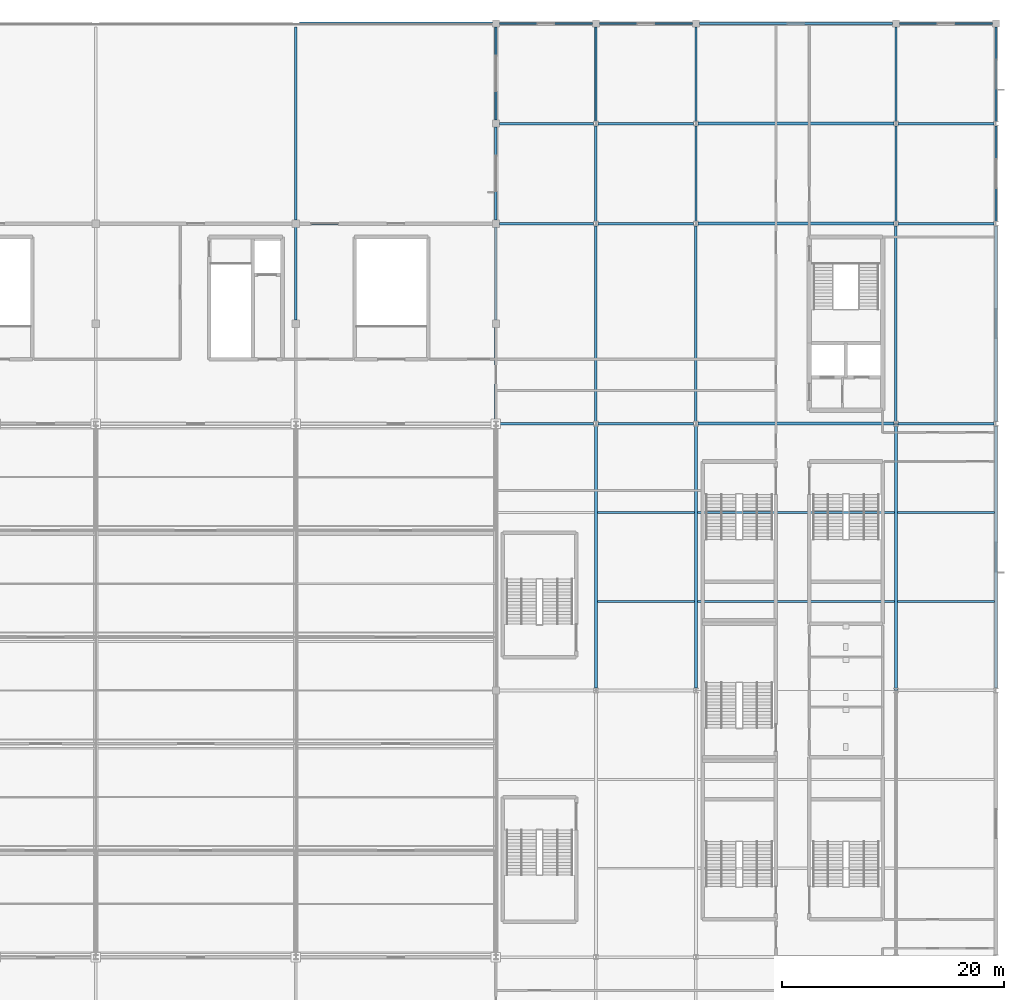
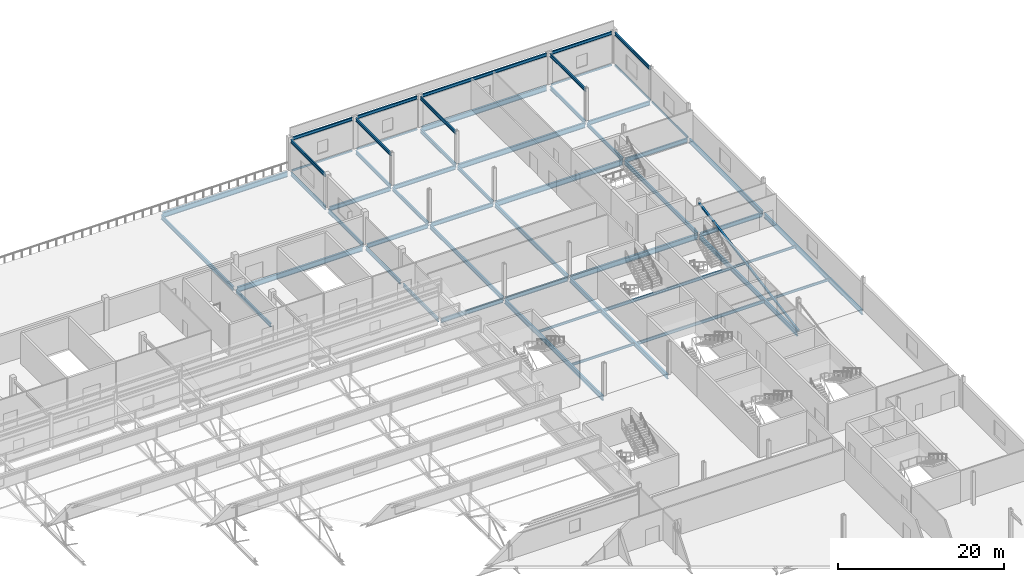
# One storey, part 75 of 136: 55 beams, 1 member.
"""IFC4 building model written with IfcOpenShell, lengths in metres."""

from ifc_helpers import new_model, si_unit, direction, frame, origin, origin_2d, place, context, subcontext, project, spatial, hollow_rectangle, i_section, extrude, material, material_profile, profile_set, type_object, element, save


model = new_model("IFC4")

# Units and contexts
model_context = context("Model", 3, precision=1e-05, world=origin(), true_north=direction((0.0, 1.0)))
body_context = subcontext(model_context, "Body", "Model", "MODEL_VIEW")
ifc_project = project(units=[si_unit("LENGTHUNIT", "METRE"), si_unit("AREAUNIT", "SQUARE_METRE"), si_unit("VOLUMEUNIT", "CUBIC_METRE"), si_unit("PLANEANGLEUNIT", "RADIAN"), si_unit("MASSUNIT", "GRAM", prefix="KILO")], contexts=[model_context])

# Site, building, storey
site_placement = place(None, origin())
site = spatial("IfcSite", under=ifc_project, at=site_placement, CompositionType="ELEMENT")
building_placement = place(site_placement, origin())
building = spatial("IfcBuilding", under=site, at=building_placement, Name="Kisiwana Market Hall", CompositionType="ELEMENT")
storey_placement = place(building_placement, frame((0.0, 0.0, 16.800048828125)))
storey = spatial("IfcBuildingStorey", under=building, at=storey_placement, Name="L03", CompositionType="ELEMENT", Elevation=16.800048828125)

# Beams
ifc_material_1 = material(Name="Steel S355", Category="steel")
ifc_material_profile_1 = material_profile(ifc_material_1, i_section(OverallWidth=0.19140625, OverallDepth=0.4599609375, WebThickness=0.010009765625, FlangeThickness=0.01611328125, at=origin_2d()), Name="UB 457x191x82")
ifc_profile_set_1 = profile_set([ifc_material_profile_1], Name="Steel S355")
beam_type_1 = type_object("IfcBeamType", Name="BM-GIRD-UB457H", PredefinedType="BEAM", material=ifc_profile_set_1)
for number, where, z_axis, x_axis, name in (
    (1, (153.321044921875, 120.0, 4.27783203125), (1.0, 0.0, 0.0), (0.0, 1.0, 0.0), "Roof girder B-1128"),
    (2, (162.321044921875, 120.0, 4.27783203125), (1.0, 0.0, 0.0), (0.0, 1.0, 0.0), "Roof girder B-1129"),
):
    element("IfcBeam", number, at=place(storey_placement, frame(where, z_axis=z_axis, x_axis=x_axis)), inside=storey, type_object=beam_type_1, Name=name, PredefinedType="BEAM", context=body_context, shape_type="SweptSolid", body=[
        extrude(i_section(OverallWidth=0.19140625, OverallDepth=0.4599609375, WebThickness=0.010009765625, FlangeThickness=0.01611328125, at=origin_2d()), origin(), (0.0, 0.0, 1.0), 8.35791015625),
    ])
beam_1_placement = place(storey_placement, frame((171.321044921875, 120.0, 4.27783203125), z_axis=(1.0, 0.0, 0.0), x_axis=(0.0, 1.0, 0.0)))
element("IfcBeam", 3, at=beam_1_placement, inside=storey, type_object=beam_type_1, Name="Roof girder B-1130", PredefinedType="BEAM", context=body_context, shape_type="SweptSolid", body=[
    extrude(i_section(OverallWidth=0.19140625, OverallDepth=0.4599609375, WebThickness=0.010009765625, FlangeThickness=0.01611328125, at=origin_2d()), origin(), (0.0, 0.0, 1.0), 17.35791015625),
])
for number, where, z_axis, x_axis, name in (
    (4, (189.321044921875, 120.0, 4.27783203125), (1.0, 0.0, 0.0), (0.0, 1.0, 0.0), "Roof girder B-1131"),
    (5, (153.0, 111.321044921875, 4.27783203125), (0.0, 1.0, 0.0), (-1.0, 0.0, 0.0), "Roof girder B-1132"),
):
    element("IfcBeam", number, at=place(storey_placement, frame(where, z_axis=z_axis, x_axis=x_axis)), inside=storey, type_object=beam_type_1, Name=name, PredefinedType="BEAM", context=body_context, shape_type="SweptSolid", body=[
        extrude(i_section(OverallWidth=0.19140625, OverallDepth=0.4599609375, WebThickness=0.010009765625, FlangeThickness=0.01611328125, at=origin_2d()), origin(), (0.0, 0.0, 1.0), 8.35791015625),
    ])
for number, where, z_axis, x_axis, name in (
    (6, (162.0, 111.19287109375, 4.27783203125), (0.0, 1.0, 0.0), (-1.0, 0.0, 0.0), "Roof girder B-1133"),
    (7, (171.0, 111.19287109375, 4.27783203125), (0.0, 1.0, 0.0), (-1.0, 0.0, 0.0), "Roof girder B-1134"),
    (8, (189.0, 111.19287109375, 4.27783203125), (0.0, 1.0, 0.0), (-1.0, 0.0, 0.0), "Roof girder B-1135"),
    (9, (198.0, 111.19287109375, 4.27783203125), (0.0, 1.0, 0.0), (-1.0, 0.0, 0.0), "Roof girder B-1136"),
):
    element("IfcBeam", number, at=place(storey_placement, frame(where, z_axis=z_axis, x_axis=x_axis)), inside=storey, type_object=beam_type_1, Name=name, PredefinedType="BEAM", context=body_context, shape_type="SweptSolid", body=[
        extrude(i_section(OverallWidth=0.19140625, OverallDepth=0.4599609375, WebThickness=0.010009765625, FlangeThickness=0.01611328125, at=origin_2d()), origin(), (0.0, 0.0, 1.0), 8.486083984375),
    ])
ifc_material_2 = material(Name="Steel S355", Category="steel")
ifc_material_profile_2 = material_profile(ifc_material_2, i_section(OverallWidth=0.209228515625, OverallDepth=0.533203125, WebThickness=0.010009765625, FlangeThickness=0.015625, at=origin_2d()), Name="UB 533x210x92")
ifc_profile_set_2 = profile_set([ifc_material_profile_2], Name="Steel S355")
beam_type_2 = type_object("IfcBeamType", Name="BM-GIRD-UB533", PredefinedType="BEAM", material=ifc_profile_set_2)
beam_2_placement = place(storey_placement, frame((135.0, 93.321044921875, -0.5166015625), z_axis=(0.0, 1.0, 0.0), x_axis=(-1.0, 0.0, 0.0)))
element("IfcBeam", 10, at=beam_2_placement, inside=storey, type_object=beam_type_2, Name="Primary girder B-0911", PredefinedType="BEAM", context=body_context, shape_type="SweptSolid", body=[
    extrude(i_section(OverallWidth=0.209228515625, OverallDepth=0.533203125, WebThickness=0.010009765625, FlangeThickness=0.015625, at=origin_2d()), origin(), (0.0, 0.0, 1.0), 8.35791015625),
])
beam_3_placement = place(storey_placement, frame((153.0, 84.21337890625, -0.5166015625), z_axis=(0.0, 1.0, 0.0), x_axis=(-1.0, 0.0, 0.0)))
element("IfcBeam", 11, at=beam_3_placement, inside=storey, type_object=beam_type_2, Name="Primary girder B-0917", PredefinedType="BEAM", context=body_context, shape_type="SweptSolid", body=[
    extrude(i_section(OverallWidth=0.209228515625, OverallDepth=0.533203125, WebThickness=0.010009765625, FlangeThickness=0.015625, at=origin_2d()), origin(), (0.0, 0.0, 1.0), 8.465576171875),
])
for number, where, z_axis, x_axis, name in (
    (12, (153.0, 93.321044921875, -0.5166015625), (0.0, 1.0, 0.0), (-1.0, 0.0, 0.0), "Primary girder B-0918"),
    (13, (153.0, 102.321044921875, -0.524658203125), (0.0, 1.0, 0.0), (-1.0, 0.0, 0.0), "Primary girder B-0919"),
    (14, (153.0, 111.321044921875, -0.524658203125), (0.0, 1.0, 0.0), (-1.0, 0.0, 0.0), "Primary girder B-0920"),
):
    element("IfcBeam", number, at=place(storey_placement, frame(where, z_axis=z_axis, x_axis=x_axis)), inside=storey, type_object=beam_type_2, Name=name, PredefinedType="BEAM", context=body_context, shape_type="SweptSolid", body=[
        extrude(i_section(OverallWidth=0.209228515625, OverallDepth=0.533203125, WebThickness=0.010009765625, FlangeThickness=0.015625, at=origin_2d()), origin(), (0.0, 0.0, 1.0), 8.35791015625),
    ])
beam_4_placement = place(storey_placement, frame((162.0, 102.2041015625, -0.5166015625), z_axis=(0.0, 1.0, 0.0), x_axis=(-1.0, 0.0, 0.0)))
element("IfcBeam", 15, at=beam_4_placement, inside=storey, type_object=beam_type_2, Name="Primary girder B-0927", PredefinedType="BEAM", context=body_context, shape_type="SweptSolid", body=[
    extrude(i_section(OverallWidth=0.209228515625, OverallDepth=0.533203125, WebThickness=0.010009765625, FlangeThickness=0.015625, at=origin_2d()), origin(), (0.0, 0.0, 1.0), 8.60302734375),
])
beam_5_placement = place(storey_placement, frame((162.0, 111.19287109375, -0.5166015625), z_axis=(0.0, 1.0, 0.0), x_axis=(-1.0, 0.0, 0.0)))
element("IfcBeam", 16, at=beam_5_placement, inside=storey, type_object=beam_type_2, Name="Primary girder B-0928", PredefinedType="BEAM", context=body_context, shape_type="SweptSolid", body=[
    extrude(i_section(OverallWidth=0.209228515625, OverallDepth=0.533203125, WebThickness=0.010009765625, FlangeThickness=0.015625, at=origin_2d()), origin(), (0.0, 0.0, 1.0), 8.486083984375),
])
beam_6_placement = place(storey_placement, frame((171.0, 102.2041015625, -0.5166015625), z_axis=(0.0, 1.0, 0.0), x_axis=(-1.0, 0.0, 0.0)))
element("IfcBeam", 17, at=beam_6_placement, inside=storey, type_object=beam_type_2, Name="Primary girder B-0933", PredefinedType="BEAM", context=body_context, shape_type="SweptSolid", body=[
    extrude(i_section(OverallWidth=0.209228515625, OverallDepth=0.533203125, WebThickness=0.010009765625, FlangeThickness=0.015625, at=origin_2d()), origin(), (0.0, 0.0, 1.0), 8.60302734375),
])
beam_7_placement = place(storey_placement, frame((171.0, 111.19287109375, -0.5166015625), z_axis=(0.0, 1.0, 0.0), x_axis=(-1.0, 0.0, 0.0)))
element("IfcBeam", 18, at=beam_7_placement, inside=storey, type_object=beam_type_2, Name="Primary girder B-0934", PredefinedType="BEAM", context=body_context, shape_type="SweptSolid", body=[
    extrude(i_section(OverallWidth=0.209228515625, OverallDepth=0.533203125, WebThickness=0.010009765625, FlangeThickness=0.015625, at=origin_2d()), origin(), (0.0, 0.0, 1.0), 8.486083984375),
])
beam_8_placement = place(storey_placement, frame((189.0, 102.2041015625, -0.5166015625), z_axis=(0.0, 1.0, 0.0), x_axis=(-1.0, 0.0, 0.0)))
element("IfcBeam", 19, at=beam_8_placement, inside=storey, type_object=beam_type_2, Name="Primary girder B-0941", PredefinedType="BEAM", context=body_context, shape_type="SweptSolid", body=[
    extrude(i_section(OverallWidth=0.209228515625, OverallDepth=0.533203125, WebThickness=0.010009765625, FlangeThickness=0.015625, at=origin_2d()), origin(), (0.0, 0.0, 1.0), 8.60302734375),
])
beam_9_placement = place(storey_placement, frame((189.0, 111.19287109375, -0.5166015625), z_axis=(0.0, 1.0, 0.0), x_axis=(-1.0, 0.0, 0.0)))
element("IfcBeam", 20, at=beam_9_placement, inside=storey, type_object=beam_type_2, Name="Primary girder B-0942", PredefinedType="BEAM", context=body_context, shape_type="SweptSolid", body=[
    extrude(i_section(OverallWidth=0.209228515625, OverallDepth=0.533203125, WebThickness=0.010009765625, FlangeThickness=0.015625, at=origin_2d()), origin(), (0.0, 0.0, 1.0), 8.486083984375),
])
ifc_material_3 = material(Name="Steel S355", Category="steel")
ifc_material_profile_3 = material_profile(ifc_material_3, i_section(OverallWidth=0.22900390625, OverallDepth=0.6123046875, WebThickness=0.011962890625, FlangeThickness=0.01953125, at=origin_2d()), Name="UB 610x229x125")
ifc_profile_set_3 = profile_set([ifc_material_profile_3], Name="Steel S355")
beam_type_3 = type_object("IfcBeamType", Name="BM-GIRD-UB610H", PredefinedType="BEAM", material=ifc_profile_set_3)
beam_10_placement = place(storey_placement, frame((153.201904296875, 84.0, -0.55615234375), z_axis=(1.0, 0.0, 0.0), x_axis=(0.0, 1.0, 0.0)))
element("IfcBeam", 21, at=beam_10_placement, inside=storey, type_object=beam_type_3, Name="Floor beam B-1037", PredefinedType="BEAM", context=body_context, shape_type="SweptSolid", body=[
    extrude(i_section(OverallWidth=0.22900390625, OverallDepth=0.6123046875, WebThickness=0.011962890625, FlangeThickness=0.01953125, at=origin_2d()), origin(), (0.0, 0.0, 1.0), 8.59912109375),
])
for number, where, z_axis, x_axis, name in (
    (22, (162.198974609375, 84.0, -0.55615234375), (1.0, 0.0, 0.0), (0.0, 1.0, 0.0), "Floor beam B-1038"),
    (23, (189.198974609375, 84.0, -0.55615234375), (1.0, 0.0, 0.0), (0.0, 1.0, 0.0), "Floor beam B-1040"),
):
    element("IfcBeam", number, at=place(storey_placement, frame(where, z_axis=z_axis, x_axis=x_axis)), inside=storey, type_object=beam_type_3, Name=name, PredefinedType="BEAM", context=body_context, shape_type="SweptSolid", body=[
        extrude(i_section(OverallWidth=0.22900390625, OverallDepth=0.6123046875, WebThickness=0.011962890625, FlangeThickness=0.01953125, at=origin_2d()), origin(), (0.0, 0.0, 1.0), 8.60205078125),
    ])
beam_11_placement = place(storey_placement, frame((153.321044921875, 102.0, -0.55615234375), z_axis=(1.0, 0.0, 0.0), x_axis=(0.0, 1.0, 0.0)))
element("IfcBeam", 24, at=beam_11_placement, inside=storey, type_object=beam_type_3, Name="Floor beam B-1051", PredefinedType="BEAM", context=body_context, shape_type="SweptSolid", body=[
    extrude(i_section(OverallWidth=0.22900390625, OverallDepth=0.6123046875, WebThickness=0.011962890625, FlangeThickness=0.01953125, at=origin_2d()), origin(), (0.0, 0.0, 1.0), 8.47998046875),
])
for number, where, z_axis, x_axis, name in (
    (25, (162.198974609375, 102.0, -0.55615234375), (1.0, 0.0, 0.0), (0.0, 1.0, 0.0), "Floor beam B-1052"),
    (26, (189.198974609375, 102.0, -0.55615234375), (1.0, 0.0, 0.0), (0.0, 1.0, 0.0), "Floor beam B-1054"),
):
    element("IfcBeam", number, at=place(storey_placement, frame(where, z_axis=z_axis, x_axis=x_axis)), inside=storey, type_object=beam_type_3, Name=name, PredefinedType="BEAM", context=body_context, shape_type="SweptSolid", body=[
        extrude(i_section(OverallWidth=0.22900390625, OverallDepth=0.6123046875, WebThickness=0.011962890625, FlangeThickness=0.01953125, at=origin_2d()), origin(), (0.0, 0.0, 1.0), 8.60205078125),
    ])
beam_12_placement = place(storey_placement, frame((153.321044921875, 111.0, -0.55615234375), z_axis=(1.0, 0.0, 0.0), x_axis=(0.0, 1.0, 0.0)))
element("IfcBeam", 27, at=beam_12_placement, inside=storey, type_object=beam_type_3, Name="Floor beam B-1059", PredefinedType="BEAM", context=body_context, shape_type="SweptSolid", body=[
    extrude(i_section(OverallWidth=0.22900390625, OverallDepth=0.6123046875, WebThickness=0.011962890625, FlangeThickness=0.01953125, at=origin_2d()), origin(), (0.0, 0.0, 1.0), 8.4833984375),
])
for number, where, z_axis, x_axis, name in (
    (28, (162.195556640625, 111.0, -0.55615234375), (1.0, 0.0, 0.0), (0.0, 1.0, 0.0), "Floor beam B-1060"),
    (29, (189.195556640625, 111.0, -0.55615234375), (1.0, 0.0, 0.0), (0.0, 1.0, 0.0), "Floor beam B-1062"),
):
    element("IfcBeam", number, at=place(storey_placement, frame(where, z_axis=z_axis, x_axis=x_axis)), inside=storey, type_object=beam_type_3, Name=name, PredefinedType="BEAM", context=body_context, shape_type="SweptSolid", body=[
        extrude(i_section(OverallWidth=0.22900390625, OverallDepth=0.6123046875, WebThickness=0.011962890625, FlangeThickness=0.01953125, at=origin_2d()), origin(), (0.0, 0.0, 1.0), 8.60888671875),
    ])
beam_13_placement = place(storey_placement, frame((135.0, 102.321044921875, -0.564208984375), z_axis=(0.0, 1.0, 0.0), x_axis=(-1.0, 0.0, 0.0)))
element("IfcBeam", 30, at=beam_13_placement, inside=storey, type_object=beam_type_3, Name="Primary girder B-0912", PredefinedType="BEAM", context=body_context, shape_type="SweptSolid", body=[
    extrude(i_section(OverallWidth=0.22900390625, OverallDepth=0.6123046875, WebThickness=0.011962890625, FlangeThickness=0.01953125, at=origin_2d()), origin(), (0.0, 0.0, 1.0), 17.35791015625),
])
for number, where, z_axis, x_axis, name in (
    (31, (162.0, 84.2041015625, -0.55615234375), (0.0, 1.0, 0.0), (-1.0, 0.0, 0.0), "Primary girder B-0926"),
    (32, (171.0, 84.2041015625, -0.55615234375), (0.0, 1.0, 0.0), (-1.0, 0.0, 0.0), "Primary girder B-0932"),
    (33, (189.0, 84.2041015625, -0.55615234375), (0.0, 1.0, 0.0), (-1.0, 0.0, 0.0), "Primary girder B-0940"),
):
    element("IfcBeam", number, at=place(storey_placement, frame(where, z_axis=z_axis, x_axis=x_axis)), inside=storey, type_object=beam_type_3, Name=name, PredefinedType="BEAM", context=body_context, shape_type="SweptSolid", body=[
        extrude(i_section(OverallWidth=0.22900390625, OverallDepth=0.6123046875, WebThickness=0.011962890625, FlangeThickness=0.01953125, at=origin_2d()), origin(), (0.0, 0.0, 1.0), 17.591796875),
    ])
ifc_material_4 = material(Name="Steel S355", Category="steel")
ifc_material_profile_4 = material_profile(ifc_material_4, i_section(OverallWidth=0.253662109375, OverallDepth=0.68359375, WebThickness=0.012451171875, FlangeThickness=0.01904296875, at=origin_2d()), Name="UB 686x254x140")
ifc_profile_set_4 = profile_set([ifc_material_profile_4], Name="Steel S355")
beam_type_4 = type_object("IfcBeamType", Name="BM-GIRD-UB686", PredefinedType="BEAM", material=ifc_profile_set_4)
for number, where, z_axis, x_axis, name in (
    (34, (171.0, 60.2041015625, -0.591796875), (0.0, 1.0, 0.0), (-1.0, 0.0, 0.0), "Floor beam B-1092"),
    (35, (198.0, 60.2041015625, -0.591796875), (0.0, 1.0, 0.0), (-1.0, 0.0, 0.0), "Floor beam B-1097"),
):
    element("IfcBeam", number, at=place(storey_placement, frame(where, z_axis=z_axis, x_axis=x_axis)), inside=storey, type_object=beam_type_4, Name=name, PredefinedType="BEAM", context=body_context, shape_type="SweptSolid", body=[
        extrude(i_section(OverallWidth=0.253662109375, OverallDepth=0.68359375, WebThickness=0.012451171875, FlangeThickness=0.01904296875, at=origin_2d()), origin(), (0.0, 0.0, 1.0), 23.591796875),
    ])
beam_14_placement = place(storey_placement, frame((198.0, 84.2041015625, -0.591796875), z_axis=(0.0, 1.0, 0.0), x_axis=(-1.0, 0.0, 0.0)))
element("IfcBeam", 36, at=beam_14_placement, inside=storey, type_object=beam_type_4, Name="Floor beam B-1098", PredefinedType="BEAM", context=body_context, shape_type="SweptSolid", body=[
    extrude(i_section(OverallWidth=0.253662109375, OverallDepth=0.68359375, WebThickness=0.012451171875, FlangeThickness=0.01904296875, at=origin_2d()), origin(), (0.0, 0.0, 1.0), 17.591796875),
])
for number, where, z_axis, x_axis, name in (
    (37, (162.0, 60.2041015625, -0.591796875), (0.0, 1.0, 0.0), (-1.0, 0.0, 0.0), "Primary girder B-0925"),
    (38, (189.0, 60.2041015625, -0.591796875), (0.0, 1.0, 0.0), (-1.0, 0.0, 0.0), "Primary girder B-0939"),
):
    element("IfcBeam", number, at=place(storey_placement, frame(where, z_axis=z_axis, x_axis=x_axis)), inside=storey, type_object=beam_type_4, Name=name, PredefinedType="BEAM", context=body_context, shape_type="SweptSolid", body=[
        extrude(i_section(OverallWidth=0.253662109375, OverallDepth=0.68359375, WebThickness=0.012451171875, FlangeThickness=0.01904296875, at=origin_2d()), origin(), (0.0, 0.0, 1.0), 23.591796875),
    ])
ifc_material_5 = material(Name="Steel S355", Category="steel")
ifc_material_profile_5 = material_profile(ifc_material_5, i_section(OverallWidth=0.2666015625, OverallDepth=0.76220703125, WebThickness=0.014404296875, FlangeThickness=0.021484375, at=origin_2d()), Name="UB 762x267x173")
ifc_profile_set_5 = profile_set([ifc_material_profile_5], Name="Steel S355")
beam_type_5 = type_object("IfcBeamType", Name="BM-GIRD-UB762", PredefinedType="BEAM", material=ifc_profile_set_5)
beam_15_placement = place(storey_placement, frame((171.198974609375, 84.0, -0.631103515625), z_axis=(1.0, 0.0, 0.0), x_axis=(0.0, 1.0, 0.0)))
element("IfcBeam", 39, at=beam_15_placement, inside=storey, type_object=beam_type_5, Name="Floor beam B-1039", PredefinedType="BEAM", context=body_context, shape_type="SweptSolid", body=[
    extrude(i_section(OverallWidth=0.2666015625, OverallDepth=0.76220703125, WebThickness=0.014404296875, FlangeThickness=0.021484375, at=origin_2d()), origin(), (0.0, 0.0, 1.0), 17.60205078125),
])
beam_16_placement = place(storey_placement, frame((135.321044921875, 102.0, -0.63916015625), z_axis=(1.0, 0.0, 0.0), x_axis=(0.0, 1.0, 0.0)))
element("IfcBeam", 40, at=beam_16_placement, inside=storey, type_object=beam_type_5, Name="Floor beam B-1050", PredefinedType="BEAM", context=body_context, shape_type="SweptSolid", body=[
    extrude(i_section(OverallWidth=0.2666015625, OverallDepth=0.76220703125, WebThickness=0.014404296875, FlangeThickness=0.021484375, at=origin_2d()), origin(), (0.0, 0.0, 1.0), 17.35791015625),
])
beam_17_placement = place(storey_placement, frame((171.198974609375, 102.0, -0.631103515625), z_axis=(1.0, 0.0, 0.0), x_axis=(0.0, 1.0, 0.0)))
element("IfcBeam", 41, at=beam_17_placement, inside=storey, type_object=beam_type_5, Name="Floor beam B-1053", PredefinedType="BEAM", context=body_context, shape_type="SweptSolid", body=[
    extrude(i_section(OverallWidth=0.2666015625, OverallDepth=0.76220703125, WebThickness=0.014404296875, FlangeThickness=0.021484375, at=origin_2d()), origin(), (0.0, 0.0, 1.0), 17.60205078125),
])
beam_18_placement = place(storey_placement, frame((171.195556640625, 111.0, -0.631103515625), z_axis=(1.0, 0.0, 0.0), x_axis=(0.0, 1.0, 0.0)))
element("IfcBeam", 42, at=beam_18_placement, inside=storey, type_object=beam_type_5, Name="Floor beam B-1061", PredefinedType="BEAM", context=body_context, shape_type="SweptSolid", body=[
    extrude(i_section(OverallWidth=0.2666015625, OverallDepth=0.76220703125, WebThickness=0.014404296875, FlangeThickness=0.021484375, at=origin_2d()), origin(), (0.0, 0.0, 1.0), 17.60888671875),
])
for number, where, z_axis, x_axis, name in (
    (43, (135.321044921875, 120.0, -0.63916015625), (1.0, 0.0, 0.0), (0.0, 1.0, 0.0), "Floor beam B-1072"),
    (44, (171.321044921875, 120.0, -0.631103515625), (1.0, 0.0, 0.0), (0.0, 1.0, 0.0), "Floor beam B-1075"),
):
    element("IfcBeam", number, at=place(storey_placement, frame(where, z_axis=z_axis, x_axis=x_axis)), inside=storey, type_object=beam_type_5, Name=name, PredefinedType="BEAM", context=body_context, shape_type="SweptSolid", body=[
        extrude(i_section(OverallWidth=0.2666015625, OverallDepth=0.76220703125, WebThickness=0.014404296875, FlangeThickness=0.021484375, at=origin_2d()), origin(), (0.0, 0.0, 1.0), 17.35791015625),
    ])
ifc_material_6 = material(Name="Steel S355", Category="steel")
ifc_material_profile_6 = material_profile(ifc_material_6, i_section(OverallWidth=0.17138671875, OverallDepth=0.35498046875, WebThickness=0.00732421875, FlangeThickness=0.011474609375, at=origin_2d()), Name="UB 356x171x51")
ifc_profile_set_6 = profile_set([ifc_material_profile_6], Name="Steel S355")
beam_type_6 = type_object("IfcBeamType", Name="BM-JOIST-UB356", PredefinedType="JOIST", material=ifc_profile_set_6)
for number, where, z_axis, x_axis, name in (
    (45, (162.125732421875, 68.0, -0.427490234375), (1.0, 0.0, 0.0), (0.0, 1.0, 0.0), "Secondary floor joist B-0960"),
    (46, (189.125732421875, 68.0, -0.427490234375), (1.0, 0.0, 0.0), (0.0, 1.0, 0.0), "Secondary floor joist B-0962"),
    (47, (162.125732421875, 76.0, -0.427490234375), (1.0, 0.0, 0.0), (0.0, 1.0, 0.0), "Secondary floor joist B-0968"),
    (48, (189.125732421875, 76.0, -0.427490234375), (1.0, 0.0, 0.0), (0.0, 1.0, 0.0), "Secondary floor joist B-0970"),
):
    element("IfcBeam", number, at=place(storey_placement, frame(where, z_axis=z_axis, x_axis=x_axis)), inside=storey, type_object=beam_type_6, Name=name, PredefinedType="JOIST", context=body_context, shape_type="SweptSolid", body=[
        extrude(i_section(OverallWidth=0.17138671875, OverallDepth=0.35498046875, WebThickness=0.00732421875, FlangeThickness=0.011474609375, at=origin_2d()), origin(), (0.0, 0.0, 1.0), 8.74853515625),
    ])
ifc_material_7 = material(Name="Steel S355", Category="steel")
ifc_material_profile_7 = material_profile(ifc_material_7, i_section(OverallWidth=0.18994140625, OverallDepth=0.453369140625, WebThickness=0.008544921875, FlangeThickness=0.0126953125, at=origin_2d()), Name="UB 457x191x67")
ifc_profile_set_7 = profile_set([ifc_material_profile_7], Name="Steel S355")
beam_type_7 = type_object("IfcBeamType", Name="BM-JOIST-UB457", PredefinedType="JOIST", material=ifc_profile_set_7)
for number, where, z_axis, x_axis, name in (
    (49, (171.125732421875, 68.0, -0.476806640625), (1.0, 0.0, 0.0), (0.0, 1.0, 0.0), "Secondary floor joist B-0961"),
    (50, (171.125732421875, 76.0, -0.476806640625), (1.0, 0.0, 0.0), (0.0, 1.0, 0.0), "Secondary floor joist B-0969"),
):
    element("IfcBeam", number, at=place(storey_placement, frame(where, z_axis=z_axis, x_axis=x_axis)), inside=storey, type_object=beam_type_7, Name=name, PredefinedType="JOIST", context=body_context, shape_type="SweptSolid", body=[
        extrude(i_section(OverallWidth=0.18994140625, OverallDepth=0.453369140625, WebThickness=0.008544921875, FlangeThickness=0.0126953125, at=origin_2d()), origin(), (0.0, 0.0, 1.0), 17.74853515625),
    ])
ifc_material_8 = material(Name="Steel S355", Category="steel")
ifc_material_profile_8 = material_profile(ifc_material_8, hollow_rectangle(XDim=0.14990234375, YDim=0.25, WallThickness=0.010009765625, at=origin_2d()), Name="RHS 250x150x10.0")
ifc_profile_set_8 = profile_set([ifc_material_profile_8], Name="Steel S355")
beam_type_8 = type_object("IfcBeamType", Name="BM-SPAN-RHS250", PredefinedType="SPANDREL", material=ifc_profile_set_8)
for number, where, z_axis, x_axis, name in (
    (51, (153.321044921875, 120.0, -0.375), (1.0, 0.0, 0.0), (0.0, 1.0, 0.0), "Floor beam B-1073"),
    (52, (162.321044921875, 120.0, -0.375), (1.0, 0.0, 0.0), (0.0, 1.0, 0.0), "Floor beam B-1074"),
    (53, (189.321044921875, 120.0, -0.375), (1.0, 0.0, 0.0), (0.0, 1.0, 0.0), "Floor beam B-1076"),
):
    element("IfcBeam", number, at=place(storey_placement, frame(where, z_axis=z_axis, x_axis=x_axis)), inside=storey, type_object=beam_type_8, Name=name, PredefinedType="SPANDREL", context=body_context, shape_type="SweptSolid", body=[
        extrude(hollow_rectangle(XDim=0.14990234375, YDim=0.25, WallThickness=0.010009765625, at=origin_2d()), origin(), (0.0, 0.0, 1.0), 8.35791015625),
    ])
beam_19_placement = place(storey_placement, frame((198.0, 102.2041015625, -0.375), z_axis=(0.0, 1.0, 0.0), x_axis=(-1.0, 0.0, 0.0)))
element("IfcBeam", 54, at=beam_19_placement, inside=storey, type_object=beam_type_8, Name="Floor beam B-1099", PredefinedType="SPANDREL", context=body_context, shape_type="SweptSolid", body=[
    extrude(hollow_rectangle(XDim=0.14990234375, YDim=0.25, WallThickness=0.010009765625, at=origin_2d()), origin(), (0.0, 0.0, 1.0), 8.60302734375),
])
beam_20_placement = place(storey_placement, frame((198.0, 111.19287109375, -0.375), z_axis=(0.0, 1.0, 0.0), x_axis=(-1.0, 0.0, 0.0)))
element("IfcBeam", 55, at=beam_20_placement, inside=storey, type_object=beam_type_8, Name="Floor beam B-1100", PredefinedType="SPANDREL", context=body_context, shape_type="SweptSolid", body=[
    extrude(hollow_rectangle(XDim=0.14990234375, YDim=0.25, WallThickness=0.010009765625, at=origin_2d()), origin(), (0.0, 0.0, 1.0), 8.486083984375),
])

# Member
ifc_material_9 = material(Name="Steel S355", Category="steel")
ifc_material_profile_9 = material_profile(ifc_material_9, hollow_rectangle(XDim=0.25, YDim=0.25, WallThickness=0.012451171875, at=origin_2d()), Name="SHS 250x250x12.5")
ifc_profile_set_9 = profile_set([ifc_material_profile_9], Name="Steel S355")
member_type = type_object("IfcMemberType", Name="MB-CBF-SHS250", PredefinedType="BRACE", material=ifc_profile_set_9)
member_placement = place(storey_placement, frame((189.0, 60.0, 0.0), z_axis=(0.0, 0.98464571067, 0.17456467128), x_axis=(-1.0, 0.0, 0.0)))
element("IfcMember", 56, at=member_placement, inside=storey, type_object=member_type, Name="CBF-E-S diagonal brace (L03) M-0024", PredefinedType="BRACE", context=body_context, shape_type="SweptSolid", body=[
    extrude(hollow_rectangle(XDim=0.25, YDim=0.25, WallThickness=0.012451171875, at=origin_2d()), origin(), (0.0, 0.0, 1.0), 24.374267578125),
])

save(model, "model.ifc")
